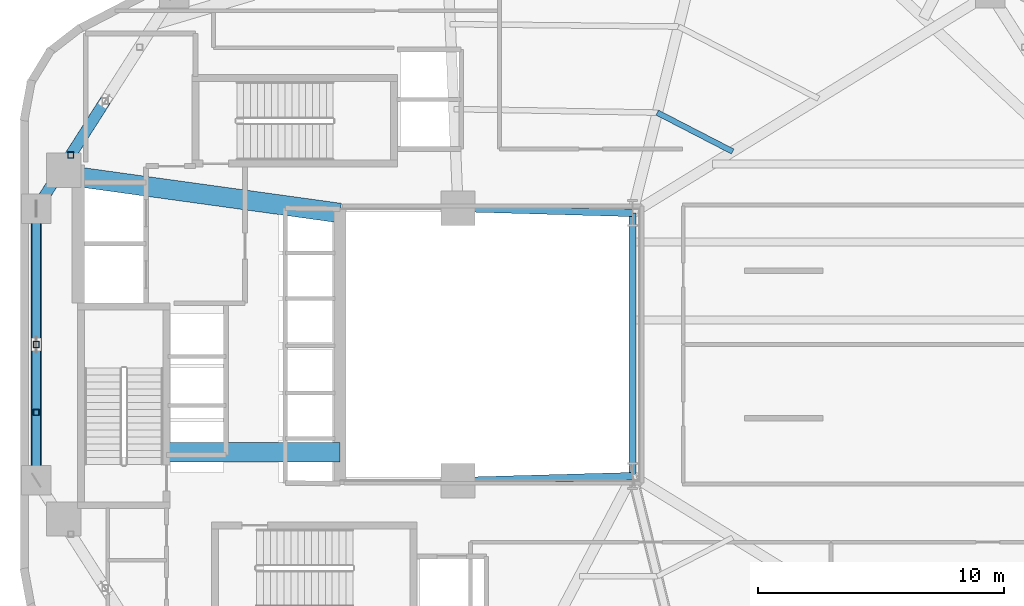
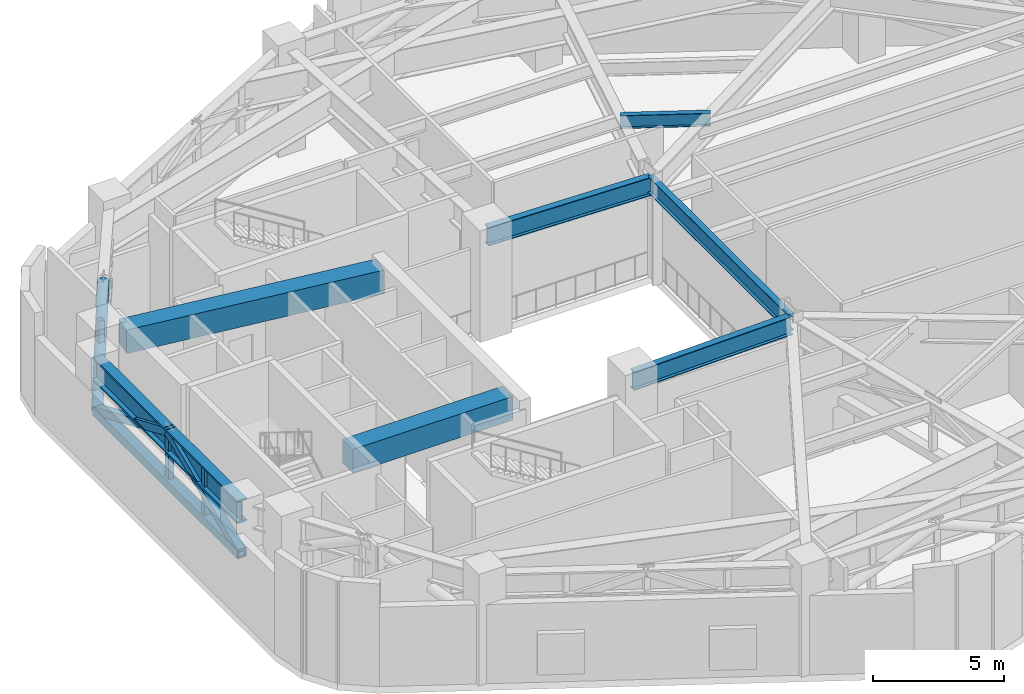
# One storey, part 3 of 14: 7 beams, 7 members.
"""IFC4 building model written with IfcOpenShell, lengths in metres."""

from ifc_helpers import new_model, si_unit, direction, frame, origin, origin_2d, place, context, subcontext, project, spatial, rectangle, hollow_rectangle, hollow_circle, i_section, extrude, material, material_profile, profile_set, type_object, element, save


model = new_model("IFC4")

# Units and contexts
model_context = context("Model", 3, precision=1e-05, world=origin(), true_north=direction((0.0, 1.0)))
body_context = subcontext(model_context, "Body", "Model", "MODEL_VIEW")
ifc_project = project(units=[si_unit("LENGTHUNIT", "METRE"), si_unit("AREAUNIT", "SQUARE_METRE"), si_unit("VOLUMEUNIT", "CUBIC_METRE"), si_unit("PLANEANGLEUNIT", "RADIAN"), si_unit("MASSUNIT", "GRAM", prefix="KILO"), si_unit("THERMODYNAMICTEMPERATUREUNIT", "KELVIN"), si_unit("POWERUNIT", "WATT")], contexts=[model_context])

# Site, building, storey
site_placement = place(None, origin())
site = spatial("IfcSite", under=ifc_project, at=site_placement, CompositionType="ELEMENT")
building_placement = place(site_placement, origin())
building = spatial("IfcBuilding", under=site, at=building_placement, Name="Skarre Station Tower", CompositionType="ELEMENT")
storey_placement = place(building_placement, frame((0.0, 0.0, 96.35009765625)))
storey = spatial("IfcBuildingStorey", under=building, at=storey_placement, Name="L25", CompositionType="ELEMENT", Elevation=96.35009765625)

# Beams
ifc_material_1 = material(Name="Concrete C70/85", Category="concrete")
ifc_material_profile_1 = material_profile(ifc_material_1, rectangle(XDim=0.800048828125, YDim=1.10009765625, at=origin_2d()), Name="Concrete C70/85")
ifc_profile_set_1 = profile_set([ifc_material_profile_1], Name="Concrete C70/85")
beam_type_1 = type_object("IfcBeamType", Name="RC Core Coupling Lintel 800x1100", PredefinedType="LINTEL", material=ifc_profile_set_1)
beam_1_placement = place(storey_placement, frame((20.489990234375, 19.6201171875, 4.22998046875), z_axis=(1.0, 0.0, 0.0), x_axis=(0.0, 1.0, 0.0)))
element("IfcBeam", 1, at=beam_1_placement, inside=storey, type_object=beam_type_1, Name="L25 South Core Coupling Lintel", PredefinedType="LINTEL", context=body_context, shape_type="SweptSolid", body=[
    extrude(rectangle(XDim=0.800048828125, YDim=1.10009765625, at=origin_2d()), origin(), (0.0, 0.0, 1.0), 7.06005859375),
])
beam_2_placement = place(storey_placement, frame((17.050048828125, 30.800048828125, 4.22998046875), z_axis=(0.990599723633, -0.136792498109, 0.0), x_axis=(0.136792498109, 0.990599723633, 0.0)))
element("IfcBeam", 2, at=beam_2_placement, inside=storey, type_object=beam_type_1, Name="L25 North Core Coupling Lintel", PredefinedType="LINTEL", context=body_context, shape_type="SweptSolid", body=[
    extrude(rectangle(XDim=0.800048828125, YDim=1.10009765625, at=origin_2d()), origin(), (0.0, 0.0, 1.0), 10.599609375),
])
ifc_material_2 = material(Name="Steel ASTM A992 Grade 50", Category="steel")
ifc_material_profile_2 = material_profile(ifc_material_2, i_section(OverallWidth=0.26806640625, OverallDepth=0.77001953125, WebThickness=0.01611328125, FlangeThickness=0.02490234375, at=origin_2d()), Name="Steel ASTM A992 Grade 50")
ifc_profile_set_2 = profile_set([ifc_material_profile_2], Name="Steel ASTM A992 Grade 50")
beam_type_2 = type_object("IfcBeamType", Name="Steel Beam W30X132", PredefinedType="BEAM", material=ifc_profile_set_2)
beam_3_placement = place(storey_placement, frame((39.449951171875, 18.64990234375, 4.39501953125), z_axis=(0.0, 1.0, 0.0), x_axis=(-1.0, 0.0, 0.0)))
element("IfcBeam", 3, at=beam_3_placement, inside=storey, type_object=beam_type_2, Name="L25 Atrium East Edge Girder", PredefinedType="BEAM", context=body_context, shape_type="SweptSolid", body=[
    extrude(i_section(OverallWidth=0.26806640625, OverallDepth=0.77001953125, WebThickness=0.01611328125, FlangeThickness=0.02490234375, at=origin_2d()), origin(), (0.0, 0.0, 1.0), 10.7001953125),
])
ifc_material_profile_3 = material_profile(ifc_material_2, i_section(OverallWidth=0.2919921875, OverallDepth=0.85888671875, WebThickness=0.01708984375, FlangeThickness=0.031005859375, at=origin_2d()), Name="Steel ASTM A992 Grade 50")
ifc_profile_set_3 = profile_set([ifc_material_profile_3], Name="Steel ASTM A992 Grade 50")
beam_type_3 = type_object("IfcBeamType", Name="Steel Beam W33X169", PredefinedType="BEAM", material=ifc_profile_set_3)
for number, where, z_axis, x_axis, name in (
    (4, (32.35009765625, 18.449951171875, 4.349853515625), (0.999603666405, 0.028151556095, 0.0), (-0.028151556095, 0.999603666405, 0.0), "L25 Atrium South Edge Girder"),
    (5, (32.35009765625, 29.550048828125, 4.349853515625), (0.999603666405, -0.028151556095, 0.0), (0.028151556095, 0.999603666405, 0.0), "L25 Atrium North Edge Girder"),
):
    element("IfcBeam", number, at=place(storey_placement, frame(where, z_axis=z_axis, x_axis=x_axis)), inside=storey, type_object=beam_type_3, Name=name, PredefinedType="BEAM", context=body_context, shape_type="SweptSolid", body=[
        extrude(i_section(OverallWidth=0.2919921875, OverallDepth=0.85888671875, WebThickness=0.01708984375, FlangeThickness=0.031005859375, at=origin_2d()), origin(), (0.0, 0.0, 1.0), 7.102783203125),
    ])
ifc_material_3 = material(Name="Steel ASTM A913 Grade 65", Category="steel")
ifc_material_profile_4 = material_profile(ifc_material_3, i_section(OverallWidth=0.424072265625, OverallDepth=1.092041015625, WebThickness=0.044921875, FlangeThickness=0.08203125, at=origin_2d()), Name="Steel ASTM A913 Grade 65")
ifc_profile_set_4 = profile_set([ifc_material_profile_4], Name="Steel ASTM A913 Grade 65")
beam_type_4 = type_object("IfcBeamType", Name="Steel Heavy Spandrel W40X593", PredefinedType="SPANDREL", material=ifc_profile_set_4)
beam_4_placement = place(storey_placement, frame((15.18701171875, 29.52099609375, 4.23388671875), z_axis=(0.0, -1.0, 0.0), x_axis=(1.0, 0.0, 0.0)))
element("IfcBeam", 6, at=beam_4_placement, inside=storey, type_object=beam_type_4, Name="L25 Facet Spandrel Beam 5", PredefinedType="SPANDREL", context=body_context, shape_type="SweptSolid", body=[
    extrude(i_section(OverallWidth=0.424072265625, OverallDepth=1.092041015625, WebThickness=0.044921875, FlangeThickness=0.08203125, at=origin_2d()), origin(), (0.0, 0.0, 1.0), 11.0419921875),
])
ifc_material_profile_5 = material_profile(ifc_material_2, i_section(OverallWidth=0.22802734375, OverallDepth=0.60791015625, WebThickness=0.010986328125, FlangeThickness=0.01708984375, at=origin_2d()), Name="Steel ASTM A992 Grade 50")
ifc_profile_set_5 = profile_set([ifc_material_profile_5], Name="Steel ASTM A992 Grade 50")
beam_type_5 = type_object("IfcBeamType", Name="Steel Joist W24X76", PredefinedType="JOIST", material=ifc_profile_set_5)
beam_5_placement = place(storey_placement, frame((43.52587890625, 31.85498046875, 4.475830078125), z_axis=(-0.888605767214, 0.458671767687, 0.0), x_axis=(-0.458671767687, -0.888605767214, 0.0)))
element("IfcBeam", 7, at=beam_5_placement, inside=storey, type_object=beam_type_5, Name="L25 Secondary Floor Joist 1", PredefinedType="JOIST", context=body_context, shape_type="SweptSolid", body=[
    extrude(i_section(OverallWidth=0.22802734375, OverallDepth=0.60791015625, WebThickness=0.010986328125, FlangeThickness=0.01708984375, at=origin_2d()), origin(), (0.0, 0.0, 1.0), 3.44921875),
])

# Members
ifc_material_4 = material(Name="Steel ASTM A500 Grade C", Category="steel")
ifc_material_profile_6 = material_profile(ifc_material_4, hollow_circle(Radius=0.228515625, WallThickness=0.02001953125, at=origin_2d()), Name="Steel ASTM A500 Grade C")
ifc_profile_set_6 = profile_set([ifc_material_profile_6], Name="Steel ASTM A500 Grade C")
member_type_1 = type_object("IfcMemberType", Name="Steel Truss Brace CHS457X20", PredefinedType="BRACE", material=ifc_profile_set_6)
member_1_placement = place(storey_placement, frame((15.18701171875, 29.52099609375, 2.25), z_axis=(0.48954730418, 0.766535309401, 0.415652566949), x_axis=(-0.842787827001, 0.538245927674, 0.0)))
element("IfcMember", 8, at=member_1_placement, inside=storey, type_object=member_type_1, Name="L25 Belt Truss Chevron Diagonal 4B", PredefinedType="BRACE", context=body_context, shape_type="SweptSolid", body=[
    extrude(hollow_circle(Radius=0.228515625, WallThickness=0.02001953125, at=origin_2d()), origin(), (0.0, 0.0, 1.0), 5.7255859375),
])
ifc_material_profile_7 = material_profile(ifc_material_4, hollow_rectangle(XDim=0.35009765625, YDim=0.35009765625, WallThickness=0.02001953125, at=origin_2d()), Name="Steel ASTM A500 Grade C")
ifc_profile_set_7 = profile_set([ifc_material_profile_7], Name="Steel ASTM A500 Grade C")
member_type_2 = type_object("IfcMemberType", Name="Steel Truss Brace HSS350X350X20", PredefinedType="BRACE", material=ifc_profile_set_7)
for number, where, z_axis, x_axis, name in (
    (9, (15.18701171875, 29.52099609375, 2.25), (0.0, -0.918315433094, 0.395849422561), (1.0, 0.0, 0.0), "L25 Belt Truss Chevron Diagonal 5A"),
    (10, (15.18701171875, 18.47900390625, 2.25), (0.0, 0.918315433094, 0.395849422561), (-1.0, 0.0, 0.0), "L25 Belt Truss Chevron Diagonal 5B"),
):
    element("IfcMember", number, at=place(storey_placement, frame(where, z_axis=z_axis, x_axis=x_axis)), inside=storey, type_object=member_type_2, Name=name, PredefinedType="BRACE", context=body_context, shape_type="SweptSolid", body=[
        extrude(hollow_rectangle(XDim=0.35009765625, YDim=0.35009765625, WallThickness=0.02001953125, at=origin_2d()), origin(), (0.0, 0.0, 1.0), 6.01220703125),
    ])
ifc_material_profile_8 = material_profile(ifc_material_4, hollow_rectangle(XDim=0.39990234375, YDim=0.39990234375, WallThickness=0.02197265625, at=origin_2d()), Name="Steel ASTM A500 Grade C")
ifc_profile_set_8 = profile_set([ifc_material_profile_8], Name="Steel ASTM A500 Grade C")
member_type_3 = type_object("IfcMemberType", Name="Steel Truss Chord HSS400X400X22", PredefinedType="CHORD", material=ifc_profile_set_8)
member_2_placement = place(storey_placement, frame((15.18701171875, 29.52099609375, 2.25), z_axis=(0.0, -1.0, 0.0), x_axis=(1.0, 0.0, 0.0)))
element("IfcMember", 11, at=member_2_placement, inside=storey, type_object=member_type_3, Name="L25 Belt Truss Bottom Chord 5", PredefinedType="CHORD", context=body_context, shape_type="SweptSolid", body=[
    extrude(hollow_rectangle(XDim=0.39990234375, YDim=0.39990234375, WallThickness=0.02197265625, at=origin_2d()), origin(), (0.0, 0.0, 1.0), 11.0419921875),
])
ifc_material_profile_9 = material_profile(ifc_material_4, hollow_rectangle(XDim=0.25, YDim=0.25, WallThickness=0.01611328125, at=origin_2d()), Name="Steel ASTM A500 Grade C")
ifc_profile_set_9 = profile_set([ifc_material_profile_9], Name="Steel ASTM A500 Grade C")
member_type_4 = type_object("IfcMemberType", Name="Steel Truss Strut HSS250X250X16", PredefinedType="STRUT", material=ifc_profile_set_9)
for number, where, z_axis, x_axis, name in (
    (12, (16.587890625, 31.715087890625, 2.25), (0.0, 0.0, 1.0), (1.0, 0.0, 0.0), "L25 Belt Truss Web Post 4-3"),
    (13, (15.18701171875, 24.0, 2.25), (0.0, 0.0, 1.0), (1.0, 0.0, 0.0), "L25 Belt Truss Web Post 5-2"),
    (14, (15.18701171875, 21.239013671875, 2.25), (0.0, 0.0, 1.0), (1.0, 0.0, 0.0), "L25 Belt Truss Web Post 5-3"),
):
    element("IfcMember", number, at=place(storey_placement, frame(where, z_axis=z_axis, x_axis=x_axis)), inside=storey, type_object=member_type_4, Name=name, PredefinedType="STRUT", context=body_context, shape_type="SweptSolid", body=[
        extrude(hollow_rectangle(XDim=0.25, YDim=0.25, WallThickness=0.01611328125, at=origin_2d()), origin(), (0.0, 0.0, 1.0), 2.3798828125),
    ])

save(model, "model.ifc")
